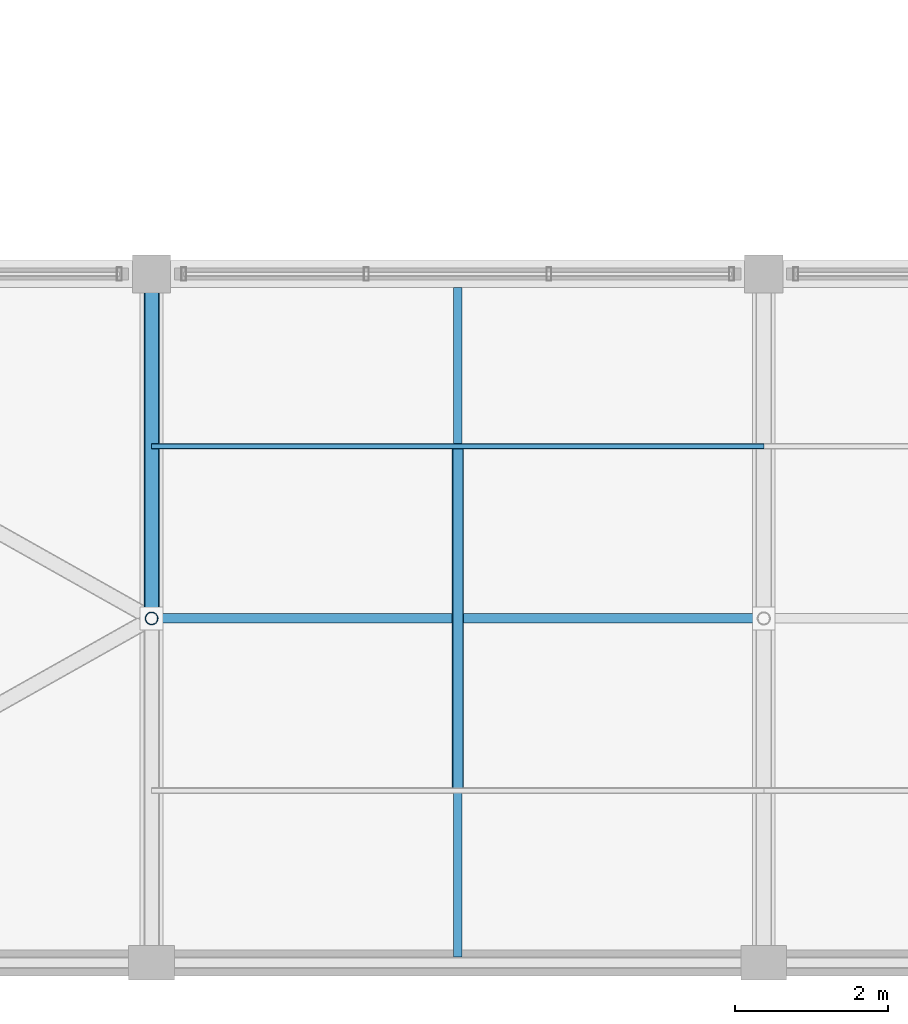
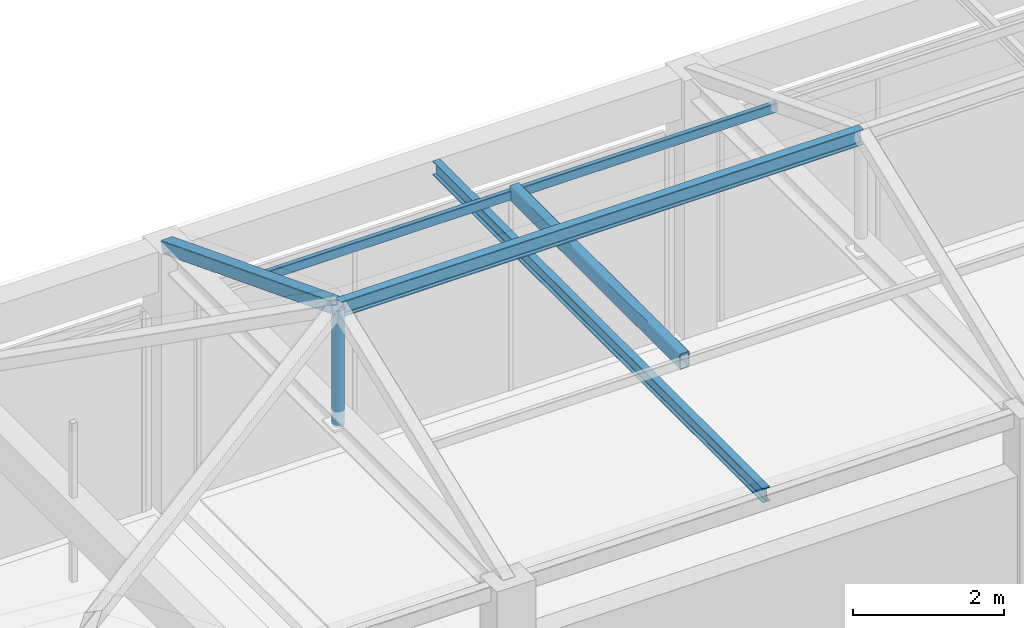
# One storey, part 23 of 65: 4 members, 2 beams.
"""IFC4 building model written with IfcOpenShell, lengths in metres."""

from ifc_helpers import new_model, si_unit, direction, frame, origin, origin_2d, place, context, subcontext, project, spatial, hollow_rectangle, hollow_circle, i_section, extrude, material, material_profile, profile_set, type_object, element, save


model = new_model("IFC4")

# Units and contexts
model_context = context("Model", 3, precision=1e-05, world=origin(), true_north=direction((0.0, 1.0)))
body_context = subcontext(model_context, "Body", "Model", "MODEL_VIEW")
ifc_project = project(units=[si_unit("LENGTHUNIT", "METRE"), si_unit("AREAUNIT", "SQUARE_METRE"), si_unit("VOLUMEUNIT", "CUBIC_METRE"), si_unit("PLANEANGLEUNIT", "RADIAN"), si_unit("MASSUNIT", "GRAM", prefix="KILO")], contexts=[model_context])

# Site, building, storey
site_placement = place(None, origin())
site = spatial("IfcSite", under=ifc_project, at=site_placement, CompositionType="ELEMENT")
building_placement = place(site_placement, origin())
building = spatial("IfcBuilding", under=site, at=building_placement, Name="Varnabhumi Central Station", CompositionType="ELEMENT")
storey_placement = place(building_placement, frame((0.0, 0.0, 24.60009765625)))
storey = spatial("IfcBuildingStorey", under=building, at=storey_placement, Name="L05", CompositionType="ELEMENT", Elevation=24.60009765625)

# Beams
ifc_material = material(Name="Structural steel E350", Category="steel")
ifc_material_profile_1 = material_profile(ifc_material, i_section(OverallWidth=0.125, OverallDepth=0.25, WebThickness=0.0068359375, FlangeThickness=0.012451171875, FilletRadius=0.012939453125, at=origin_2d()), Name="Structural steel E350", Category="steel")
ifc_profile_set_1 = profile_set([ifc_material_profile_1], Name="Structural steel E350")
beam_type_1 = type_object("IfcBeamType", Name="BM-PUR-ISMB250", PredefinedType="JOIST", material=ifc_profile_set_1)
beam_1_placement = place(storey_placement, frame((120.0, 4.5, 5.829833984375), z_axis=(1.0, 0.0, 0.0), x_axis=(0.0, 1.0, 0.0)))
element("IfcBeam", 1, at=beam_1_placement, inside=storey, type_object=beam_type_1, Name="Mission Roof Ridge Beam SW6CS-2", PredefinedType="JOIST", context=body_context, shape_type="SweptSolid", body=[
    extrude(i_section(OverallWidth=0.125, OverallDepth=0.25, WebThickness=0.0068359375, FlangeThickness=0.012451171875, FilletRadius=0.012939453125, at=origin_2d()), origin(), (0.0, 0.0, 1.0), 8.0),
])
ifc_material_profile_2 = material_profile(ifc_material, i_section(OverallWidth=0.110107421875, OverallDepth=0.22509765625, WebThickness=0.006591796875, FlangeThickness=0.01171875, FilletRadius=0.011962890625, at=origin_2d()), Name="Structural steel E350", Category="steel")
ifc_profile_set_2 = profile_set([ifc_material_profile_2], Name="Structural steel E350")
beam_type_2 = type_object("IfcBeamType", Name="BM-STL-ISMB225", PredefinedType="JOIST", material=ifc_profile_set_2)
beam_2_placement = place(storey_placement, frame((124.0, 0.074951171875, 4.08740234375), z_axis=(0.0, 1.0, 0.0), x_axis=(-1.0, 0.0, 0.0)))
element("IfcBeam", 2, at=beam_2_placement, inside=storey, type_object=beam_type_2, Name="Secondary Joist L05-16/17:A-B", PredefinedType="JOIST", context=body_context, shape_type="SweptSolid", body=[
    extrude(i_section(OverallWidth=0.110107421875, OverallDepth=0.22509765625, WebThickness=0.006591796875, FlangeThickness=0.01171875, FilletRadius=0.011962890625, at=origin_2d()), origin(), (0.0, 0.0, 1.0), 8.75),
])

# Members
ifc_material_profile_3 = material_profile(ifc_material, hollow_rectangle(XDim=0.14990234375, YDim=0.25, WallThickness=0.010009765625, InnerFilletRadius=0.010009765625, OuterFilletRadius=0.02001953125, at=origin_2d()), Name="Structural steel E350", Category="steel")
ifc_profile_set_3 = profile_set([ifc_material_profile_3], Name="Structural steel E350")
member_type_1 = type_object("IfcMemberType", Name="MBR-COLLAR-RHS", PredefinedType="COLLAR", material=ifc_profile_set_3)
member_1_placement = place(storey_placement, frame((124.0, 2.25, 4.94482421875), z_axis=(0.0, 1.0, 0.0), x_axis=(-1.0, 0.0, 0.0)))
element("IfcMember", 3, at=member_1_placement, inside=storey, type_object=member_type_1, Name="Mission Roof Collar Tie SW6CS-2", PredefinedType="COLLAR", context=body_context, shape_type="SweptSolid", body=[
    extrude(hollow_rectangle(XDim=0.14990234375, YDim=0.25, WallThickness=0.010009765625, InnerFilletRadius=0.010009765625, OuterFilletRadius=0.02001953125, at=origin_2d()), origin(), (0.0, 0.0, 1.0), 4.5),
])
ifc_material_profile_4 = material_profile(ifc_material, hollow_rectangle(XDim=0.074951171875, YDim=0.14990234375, WallThickness=0.006103515625, InnerFilletRadius=0.006103515625, OuterFilletRadius=0.011962890625, at=origin_2d()), Name="Structural steel E350", Category="steel")
ifc_profile_set_4 = profile_set([ifc_material_profile_4], Name="Structural steel E350")
member_type_2 = type_object("IfcMemberType", Name="MBR-PURL-RHS150", PredefinedType="PURLIN", material=ifc_profile_set_4)
member_2_placement = place(storey_placement, frame((120.0, 6.75, 4.9248046875), z_axis=(1.0, 0.0, 0.0), x_axis=(0.0, 1.0, 0.0)))
element("IfcMember", 4, at=member_2_placement, inside=storey, type_object=member_type_2, Name="Mission Roof Purlin SW6CS-2-N", PredefinedType="PURLIN", context=body_context, shape_type="SweptSolid", body=[
    extrude(hollow_rectangle(XDim=0.074951171875, YDim=0.14990234375, WallThickness=0.006103515625, InnerFilletRadius=0.006103515625, OuterFilletRadius=0.011962890625, at=origin_2d()), origin(), (0.0, 0.0, 1.0), 8.0),
])
ifc_material_profile_5 = material_profile(ifc_material, hollow_rectangle(XDim=0.199951171875, YDim=0.199951171875, WallThickness=0.010009765625, InnerFilletRadius=0.010009765625, OuterFilletRadius=0.02001953125, at=origin_2d()), Name="Structural steel E350", Category="steel")
ifc_profile_set_5 = profile_set([ifc_material_profile_5], Name="Structural steel E350")
member_type_3 = type_object("IfcMemberType", Name="MBR-RAFT-SHS200", PredefinedType="RAFTER", material=ifc_profile_set_5)
member_3_placement = place(storey_placement, frame((120.0, 9.0, 4.10986328125), z_axis=(0.0, -0.932004671541, 0.362446261155), x_axis=(1.0, 0.0, 0.0)))
element("IfcMember", 5, at=member_3_placement, inside=storey, type_object=member_type_3, Name="Mission Roof North Rafter SW6CS-2", PredefinedType="RAFTER", context=body_context, shape_type="SweptSolid", body=[
    extrude(hollow_rectangle(XDim=0.199951171875, YDim=0.199951171875, WallThickness=0.010009765625, InnerFilletRadius=0.010009765625, OuterFilletRadius=0.02001953125, at=origin_2d()), origin(), (0.0, 0.0, 1.0), 4.828369140625),
])
ifc_material_profile_6 = material_profile(ifc_material, hollow_circle(Radius=0.084228515625, WallThickness=0.008056640625, at=origin_2d()), Name="Structural steel E350", Category="steel")
ifc_profile_set_6 = profile_set([ifc_material_profile_6], Name="Structural steel E350")
member_type_4 = type_object("IfcMemberType", Name="MBR-STRUT-CHS168", PredefinedType="STRUT", material=ifc_profile_set_6)
member_4_placement = place(storey_placement, frame((120.0, 4.5, 3.949951171875), z_axis=(0.0, 0.0, 1.0), x_axis=(1.0, 0.0, 0.0)))
element("IfcMember", 6, at=member_4_placement, inside=storey, type_object=member_type_4, Name="Mission Roof King Strut SW6CS-2", PredefinedType="STRUT", context=body_context, shape_type="SweptSolid", body=[
    extrude(hollow_circle(Radius=0.084228515625, WallThickness=0.008056640625, at=origin_2d()), origin(), (0.0, 0.0, 1.0), 1.8798828125),
])

save(model, "model.ifc")
